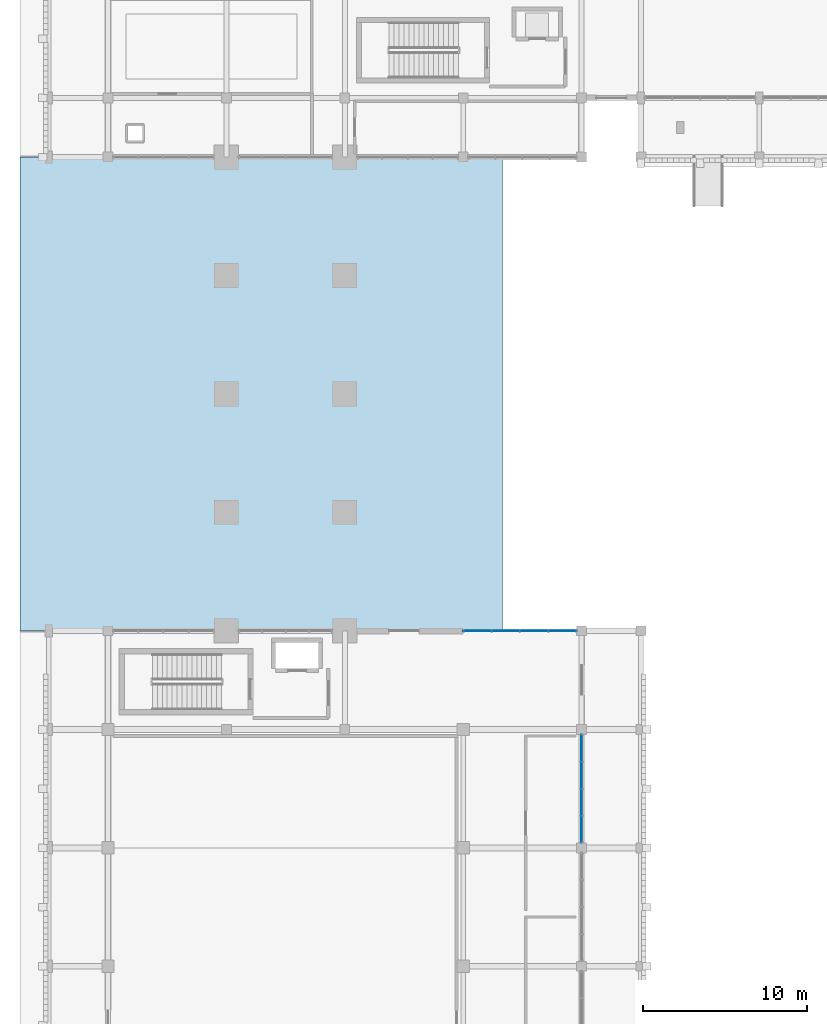
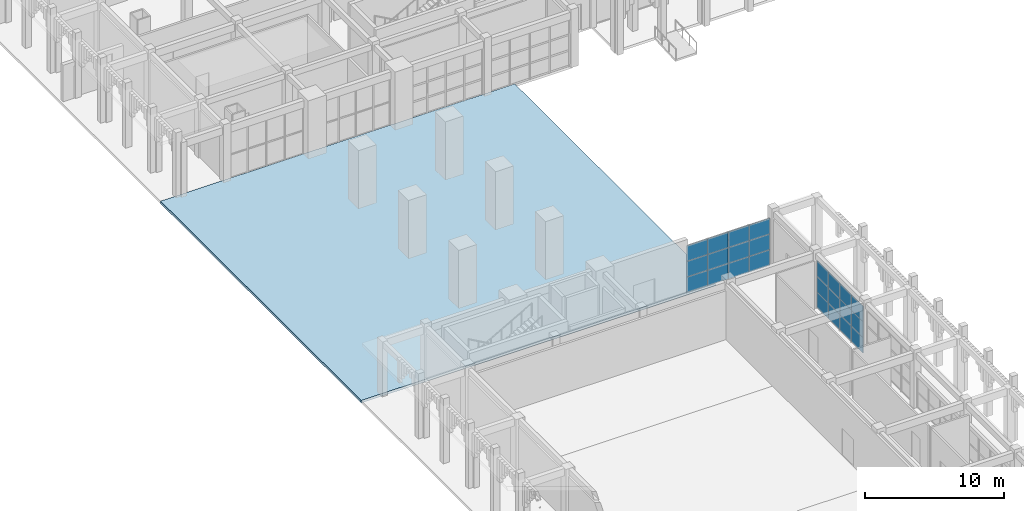
# One storey, part 27 of 72: 24 plates, 1 slab, 2 elements without a shape of their own.
"""IFC4 building model written with IfcOpenShell, lengths in metres."""

from ifc_helpers import new_model, si_unit, direction, frame, origin, origin_2d, place, context, subcontext, project, spatial, polyline, rectangle, outline, extrude, material, layer, layer_set, type_object, element, aggregate, save


model = new_model("IFC4")

# Units and contexts
model_context = context("Model", 3, precision=1e-05, world=origin(), true_north=direction((0.0, 1.0)))
body_context = subcontext(model_context, "Body", "Model", "MODEL_VIEW")
ifc_project = project(units=[si_unit("LENGTHUNIT", "METRE"), si_unit("AREAUNIT", "SQUARE_METRE"), si_unit("VOLUMEUNIT", "CUBIC_METRE"), si_unit("PLANEANGLEUNIT", "RADIAN"), si_unit("MASSUNIT", "GRAM", prefix="KILO")], contexts=[model_context])

# Site, building, storey
site_placement = place(None, origin())
site = spatial("IfcSite", under=ifc_project, at=site_placement, CompositionType="ELEMENT")
building_placement = place(site_placement, origin())
building = spatial("IfcBuilding", under=site, at=building_placement, Name="Nzembalo Square Collegiate School", CompositionType="ELEMENT")
storey_placement = place(building_placement, origin())
storey = spatial("IfcBuildingStorey", under=building, at=storey_placement, Name="L00", CompositionType="ELEMENT", Elevation=0.0)

# Curtain wall, plates
ifc_material_1 = material(Name="Aluminium 6060-T66", Category="aluminium")
curtain_wall_type_1 = type_object("IfcCurtainWallType", Name="CW-01", PredefinedType="USERDEFINED", material=ifc_material_1)
curtain_wall_1_placement = place(storey_placement, origin())
curtain_wall_1 = element("IfcCurtainWall", 1, at=curtain_wall_1_placement, inside=storey, type_object=curtain_wall_type_1, Name="Curtain wall CW-01 cw:L00:008", ObjectType="UNITISED", PredefinedType="USERDEFINED")
ifc_material_2 = material(Name="Laminated solar-control double glazing", Category="glass")
ifc_layer_1 = layer(ifc_material_2, 0.028076171875, Name="Laminated solar-control double glazing")
ifc_layer_set_1 = layer_set([ifc_layer_1], Name="Laminated solar-control double glazing")
plate_type_1 = type_object("IfcPlateType", Name="PN01", PredefinedType="CURTAIN_PANEL", material=ifc_layer_set_1)
plate_1_placement = place(storey_placement, frame((30.8623046875, 50.39990234375, 0.00390625), z_axis=(0.0, 0.0, 1.0), x_axis=(1.0, 0.0, 0.0)))
plate_1 = element("IfcPlate", 2, at=plate_1_placement, type_object=plate_type_1, Name="PN01 glazed panel 1-1", PredefinedType="CURTAIN_PANEL", context=body_context, shape_type="SweptSolid", body=[
    extrude(rectangle(XDim=1.716552734375, YDim=0.028076171875, at=origin_2d()), origin(), (0.0, 0.0, 1.0), 1.3701171875),
])
plate_2_placement = place(storey_placement, frame((32.586669921875, 50.39990234375, 0.00390625), z_axis=(0.0, 0.0, 1.0), x_axis=(1.0, 0.0, 0.0)))
plate_2 = element("IfcPlate", 3, at=plate_2_placement, type_object=plate_type_1, Name="PN01 glazed panel 1-2", PredefinedType="CURTAIN_PANEL", context=body_context, shape_type="SweptSolid", body=[
    extrude(rectangle(XDim=1.716552734375, YDim=0.028076171875, at=origin_2d()), origin(), (0.0, 0.0, 1.0), 1.3701171875),
])
plate_3_placement = place(storey_placement, frame((34.311279296875, 50.39990234375, 0.00390625), z_axis=(0.0, 0.0, 1.0), x_axis=(1.0, 0.0, 0.0)))
plate_3 = element("IfcPlate", 4, at=plate_3_placement, type_object=plate_type_1, Name="PN01 glazed panel 1-3", PredefinedType="CURTAIN_PANEL", context=body_context, shape_type="SweptSolid", body=[
    extrude(rectangle(XDim=1.716552734375, YDim=0.028076171875, at=origin_2d()), origin(), (0.0, 0.0, 1.0), 1.3701171875),
])
plate_4_placement = place(storey_placement, frame((36.03564453125, 50.39990234375, 0.00390625), z_axis=(0.0, 0.0, 1.0), x_axis=(1.0, 0.0, 0.0)))
plate_4 = element("IfcPlate", 5, at=plate_4_placement, type_object=plate_type_1, Name="PN01 glazed panel 1-4", PredefinedType="CURTAIN_PANEL", context=body_context, shape_type="SweptSolid", body=[
    extrude(rectangle(XDim=1.716552734375, YDim=0.028076171875, at=origin_2d()), origin(), (0.0, 0.0, 1.0), 1.3701171875),
])
plate_5_placement = place(storey_placement, frame((30.8623046875, 50.39990234375, 1.3818359375), z_axis=(0.0, 0.0, 1.0), x_axis=(1.0, 0.0, 0.0)))
plate_5 = element("IfcPlate", 6, at=plate_5_placement, type_object=plate_type_1, Name="PN01 glazed panel 2-1", PredefinedType="CURTAIN_PANEL", context=body_context, shape_type="SweptSolid", body=[
    extrude(rectangle(XDim=1.716552734375, YDim=0.028076171875, at=origin_2d()), origin(), (0.0, 0.0, 1.0), 1.3701171875),
])
plate_6_placement = place(storey_placement, frame((32.586669921875, 50.39990234375, 1.3818359375), z_axis=(0.0, 0.0, 1.0), x_axis=(1.0, 0.0, 0.0)))
plate_6 = element("IfcPlate", 7, at=plate_6_placement, type_object=plate_type_1, Name="PN01 glazed panel 2-2", PredefinedType="CURTAIN_PANEL", context=body_context, shape_type="SweptSolid", body=[
    extrude(rectangle(XDim=1.716552734375, YDim=0.028076171875, at=origin_2d()), origin(), (0.0, 0.0, 1.0), 1.3701171875),
])
plate_7_placement = place(storey_placement, frame((34.311279296875, 50.39990234375, 1.3818359375), z_axis=(0.0, 0.0, 1.0), x_axis=(1.0, 0.0, 0.0)))
plate_7 = element("IfcPlate", 8, at=plate_7_placement, type_object=plate_type_1, Name="PN01 glazed panel 2-3", PredefinedType="CURTAIN_PANEL", context=body_context, shape_type="SweptSolid", body=[
    extrude(rectangle(XDim=1.716552734375, YDim=0.028076171875, at=origin_2d()), origin(), (0.0, 0.0, 1.0), 1.3701171875),
])
plate_8_placement = place(storey_placement, frame((36.03564453125, 50.39990234375, 1.3818359375), z_axis=(0.0, 0.0, 1.0), x_axis=(1.0, 0.0, 0.0)))
plate_8 = element("IfcPlate", 9, at=plate_8_placement, type_object=plate_type_1, Name="PN01 glazed panel 2-4", PredefinedType="CURTAIN_PANEL", context=body_context, shape_type="SweptSolid", body=[
    extrude(rectangle(XDim=1.716552734375, YDim=0.028076171875, at=origin_2d()), origin(), (0.0, 0.0, 1.0), 1.3701171875),
])
plate_9_placement = place(storey_placement, frame((30.8623046875, 50.39990234375, 2.760009765625), z_axis=(0.0, 0.0, 1.0), x_axis=(1.0, 0.0, 0.0)))
plate_9 = element("IfcPlate", 10, at=plate_9_placement, type_object=plate_type_1, Name="PN01 glazed panel 3-1", PredefinedType="CURTAIN_PANEL", context=body_context, shape_type="SweptSolid", body=[
    extrude(rectangle(XDim=1.716552734375, YDim=0.028076171875, at=origin_2d()), origin(), (0.0, 0.0, 1.0), 1.3701171875),
])
plate_10_placement = place(storey_placement, frame((32.586669921875, 50.39990234375, 2.760009765625), z_axis=(0.0, 0.0, 1.0), x_axis=(1.0, 0.0, 0.0)))
plate_10 = element("IfcPlate", 11, at=plate_10_placement, type_object=plate_type_1, Name="PN01 glazed panel 3-2", PredefinedType="CURTAIN_PANEL", context=body_context, shape_type="SweptSolid", body=[
    extrude(rectangle(XDim=1.716552734375, YDim=0.028076171875, at=origin_2d()), origin(), (0.0, 0.0, 1.0), 1.3701171875),
])
plate_11_placement = place(storey_placement, frame((34.311279296875, 50.39990234375, 2.760009765625), z_axis=(0.0, 0.0, 1.0), x_axis=(1.0, 0.0, 0.0)))
plate_11 = element("IfcPlate", 12, at=plate_11_placement, type_object=plate_type_1, Name="PN01 glazed panel 3-3", PredefinedType="CURTAIN_PANEL", context=body_context, shape_type="SweptSolid", body=[
    extrude(rectangle(XDim=1.716552734375, YDim=0.028076171875, at=origin_2d()), origin(), (0.0, 0.0, 1.0), 1.3701171875),
])
plate_12_placement = place(storey_placement, frame((36.03564453125, 50.39990234375, 2.760009765625), z_axis=(0.0, 0.0, 1.0), x_axis=(1.0, 0.0, 0.0)))
plate_12 = element("IfcPlate", 13, at=plate_12_placement, type_object=plate_type_1, Name="PN01 glazed panel 3-4", PredefinedType="CURTAIN_PANEL", context=body_context, shape_type="SweptSolid", body=[
    extrude(rectangle(XDim=1.716552734375, YDim=0.028076171875, at=origin_2d()), origin(), (0.0, 0.0, 1.0), 1.3701171875),
])
aggregate(curtain_wall_1, [plate_1, plate_2, plate_3, plate_4, plate_5, plate_6, plate_7, plate_8, plate_9, plate_10, plate_11, plate_12])

ifc_material_3 = material(Name="Aluminium 6060-T66", Category="aluminium")
curtain_wall_type_2 = type_object("IfcCurtainWallType", Name="CW-06", PredefinedType="USERDEFINED", material=ifc_material_3)
curtain_wall_2_placement = place(storey_placement, origin())
curtain_wall_2 = element("IfcCurtainWall", 14, at=curtain_wall_2_placement, inside=storey, type_object=curtain_wall_type_2, Name="Curtain wall CW-06 cw:L00:005", ObjectType="LANCET", PredefinedType="USERDEFINED")
ifc_material_4 = material(Name="Acoustic laminated solar-control glazing", Category="glass")
ifc_layer_2 = layer(ifc_material_4, 0.031982421875, Name="Acoustic laminated solar-control glazing")
ifc_layer_set_2 = layer_set([ifc_layer_2], Name="Acoustic laminated solar-control glazing")
plate_type_2 = type_object("IfcPlateType", Name="PN02", PredefinedType="CURTAIN_PANEL", material=ifc_layer_set_2)
plate_13_placement = place(storey_placement, frame((37.199951171875, 38.326416015625, 0.00390625), z_axis=(0.0, 0.0, 1.0), x_axis=(0.0, 1.0, 0.0)))
plate_13 = element("IfcPlate", 15, at=plate_13_placement, type_object=plate_type_2, Name="PN02 glazed panel 1-1", PredefinedType="CURTAIN_PANEL", context=body_context, shape_type="SweptSolid", body=[
    extrude(rectangle(XDim=1.64111328125, YDim=0.031982421875, at=origin_2d()), origin(), (0.0, 0.0, 1.0), 1.3701171875),
])
plate_14_placement = place(storey_placement, frame((37.199951171875, 39.9755859375, 0.00390625), z_axis=(0.0, 0.0, 1.0), x_axis=(0.0, 1.0, 0.0)))
plate_14 = element("IfcPlate", 16, at=plate_14_placement, type_object=plate_type_2, Name="PN02 glazed panel 1-2", PredefinedType="CURTAIN_PANEL", context=body_context, shape_type="SweptSolid", body=[
    extrude(rectangle(XDim=1.64111328125, YDim=0.031982421875, at=origin_2d()), origin(), (0.0, 0.0, 1.0), 1.3701171875),
])
plate_15_placement = place(storey_placement, frame((37.199951171875, 41.62451171875, 0.00390625), z_axis=(0.0, 0.0, 1.0), x_axis=(0.0, 1.0, 0.0)))
plate_15 = element("IfcPlate", 17, at=plate_15_placement, type_object=plate_type_2, Name="PN02 glazed panel 1-3", PredefinedType="CURTAIN_PANEL", context=body_context, shape_type="SweptSolid", body=[
    extrude(rectangle(XDim=1.64111328125, YDim=0.031982421875, at=origin_2d()), origin(), (0.0, 0.0, 1.0), 1.3701171875),
])
plate_16_placement = place(storey_placement, frame((37.199951171875, 43.2734375, 0.00390625), z_axis=(0.0, 0.0, 1.0), x_axis=(0.0, 1.0, 0.0)))
plate_16 = element("IfcPlate", 18, at=plate_16_placement, type_object=plate_type_2, Name="PN02 glazed panel 1-4", PredefinedType="CURTAIN_PANEL", context=body_context, shape_type="SweptSolid", body=[
    extrude(rectangle(XDim=1.64111328125, YDim=0.031982421875, at=origin_2d()), origin(), (0.0, 0.0, 1.0), 1.3701171875),
])
plate_17_placement = place(storey_placement, frame((37.199951171875, 38.326416015625, 1.3818359375), z_axis=(0.0, 0.0, 1.0), x_axis=(0.0, 1.0, 0.0)))
plate_17 = element("IfcPlate", 19, at=plate_17_placement, type_object=plate_type_2, Name="PN02 glazed panel 2-1", PredefinedType="CURTAIN_PANEL", context=body_context, shape_type="SweptSolid", body=[
    extrude(rectangle(XDim=1.64111328125, YDim=0.031982421875, at=origin_2d()), origin(), (0.0, 0.0, 1.0), 1.3701171875),
])
plate_18_placement = place(storey_placement, frame((37.199951171875, 39.9755859375, 1.3818359375), z_axis=(0.0, 0.0, 1.0), x_axis=(0.0, 1.0, 0.0)))
plate_18 = element("IfcPlate", 20, at=plate_18_placement, type_object=plate_type_2, Name="PN02 glazed panel 2-2", PredefinedType="CURTAIN_PANEL", context=body_context, shape_type="SweptSolid", body=[
    extrude(rectangle(XDim=1.64111328125, YDim=0.031982421875, at=origin_2d()), origin(), (0.0, 0.0, 1.0), 1.3701171875),
])
plate_19_placement = place(storey_placement, frame((37.199951171875, 41.62451171875, 1.3818359375), z_axis=(0.0, 0.0, 1.0), x_axis=(0.0, 1.0, 0.0)))
plate_19 = element("IfcPlate", 21, at=plate_19_placement, type_object=plate_type_2, Name="PN02 glazed panel 2-3", PredefinedType="CURTAIN_PANEL", context=body_context, shape_type="SweptSolid", body=[
    extrude(rectangle(XDim=1.64111328125, YDim=0.031982421875, at=origin_2d()), origin(), (0.0, 0.0, 1.0), 1.3701171875),
])
plate_20_placement = place(storey_placement, frame((37.199951171875, 43.2734375, 1.3818359375), z_axis=(0.0, 0.0, 1.0), x_axis=(0.0, 1.0, 0.0)))
plate_20 = element("IfcPlate", 22, at=plate_20_placement, type_object=plate_type_2, Name="PN02 glazed panel 2-4", PredefinedType="CURTAIN_PANEL", context=body_context, shape_type="SweptSolid", body=[
    extrude(rectangle(XDim=1.64111328125, YDim=0.031982421875, at=origin_2d()), origin(), (0.0, 0.0, 1.0), 1.3701171875),
])
plate_21_placement = place(storey_placement, frame((37.199951171875, 38.326416015625, 2.760009765625), z_axis=(0.0, 0.0, 1.0), x_axis=(0.0, 1.0, 0.0)))
plate_21 = element("IfcPlate", 23, at=plate_21_placement, type_object=plate_type_2, Name="PN02 glazed panel 3-1", PredefinedType="CURTAIN_PANEL", context=body_context, shape_type="SweptSolid", body=[
    extrude(rectangle(XDim=1.64111328125, YDim=0.031982421875, at=origin_2d()), origin(), (0.0, 0.0, 1.0), 1.3701171875),
])
plate_22_placement = place(storey_placement, frame((37.199951171875, 39.9755859375, 2.760009765625), z_axis=(0.0, 0.0, 1.0), x_axis=(0.0, 1.0, 0.0)))
plate_22 = element("IfcPlate", 24, at=plate_22_placement, type_object=plate_type_2, Name="PN02 glazed panel 3-2", PredefinedType="CURTAIN_PANEL", context=body_context, shape_type="SweptSolid", body=[
    extrude(rectangle(XDim=1.64111328125, YDim=0.031982421875, at=origin_2d()), origin(), (0.0, 0.0, 1.0), 1.3701171875),
])
plate_23_placement = place(storey_placement, frame((37.199951171875, 41.62451171875, 2.760009765625), z_axis=(0.0, 0.0, 1.0), x_axis=(0.0, 1.0, 0.0)))
plate_23 = element("IfcPlate", 25, at=plate_23_placement, type_object=plate_type_2, Name="PN02 glazed panel 3-3", PredefinedType="CURTAIN_PANEL", context=body_context, shape_type="SweptSolid", body=[
    extrude(rectangle(XDim=1.64111328125, YDim=0.031982421875, at=origin_2d()), origin(), (0.0, 0.0, 1.0), 1.3701171875),
])
plate_24_placement = place(storey_placement, frame((37.199951171875, 43.2734375, 2.760009765625), z_axis=(0.0, 0.0, 1.0), x_axis=(0.0, 1.0, 0.0)))
plate_24 = element("IfcPlate", 26, at=plate_24_placement, type_object=plate_type_2, Name="PN02 glazed panel 3-4", PredefinedType="CURTAIN_PANEL", context=body_context, shape_type="SweptSolid", body=[
    extrude(rectangle(XDim=1.64111328125, YDim=0.031982421875, at=origin_2d()), origin(), (0.0, 0.0, 1.0), 1.3701171875),
])
aggregate(curtain_wall_2, [plate_13, plate_14, plate_15, plate_16, plate_17, plate_18, plate_19, plate_20, plate_21, plate_22, plate_23, plate_24])

# Slab
ifc_material_5 = material(Name="Concrete C35/45", Category="concrete")
ifc_layer_3 = layer(ifc_material_5, 0.219970703125, Name="Concrete C35/45")
ifc_layer_set_3 = layer_set([ifc_layer_3], Name="Concrete C35/45")
slab_type = type_object("IfcSlabType", Name="SL-00E", PredefinedType="FLOOR", material=ifc_layer_set_3)
slab_placement = place(storey_placement, frame((0.0, 0.0, -0.219970703125)))
element("IfcSlab", 27, at=slab_placement, inside=storey, type_object=slab_type, Name="Slab SL-L00-22", PredefinedType="FLOOR", context=body_context, shape_type="SweptSolid", body=[
    extrude(outline(polyline([(3.050048828125, 50.39990234375), (32.39990234375, 50.39990234375), (32.39990234375, 79.199951171875), (3.050048828125, 79.199951171875), (3.050048828125, 50.39990234375)])), origin(), (0.0, 0.0, 1.0), 0.219970703125),
])

save(model, "model.ifc")
